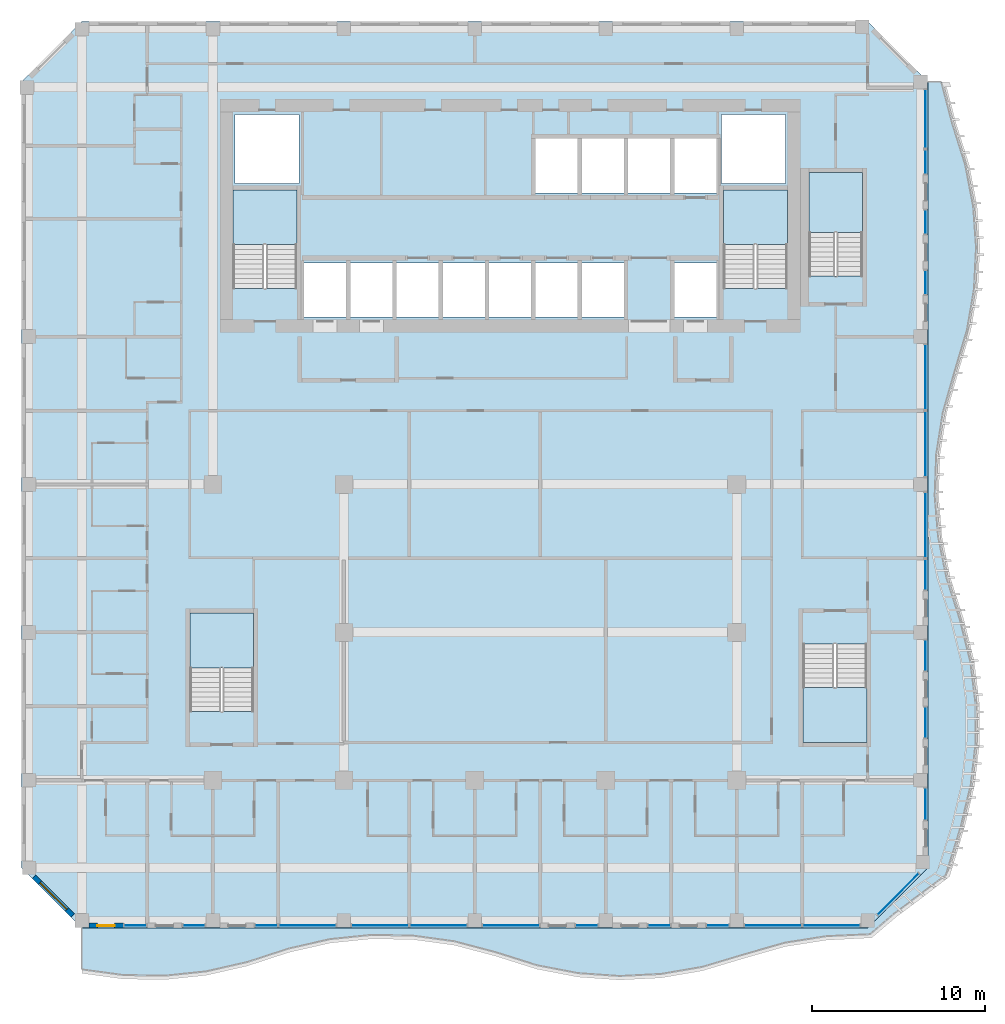
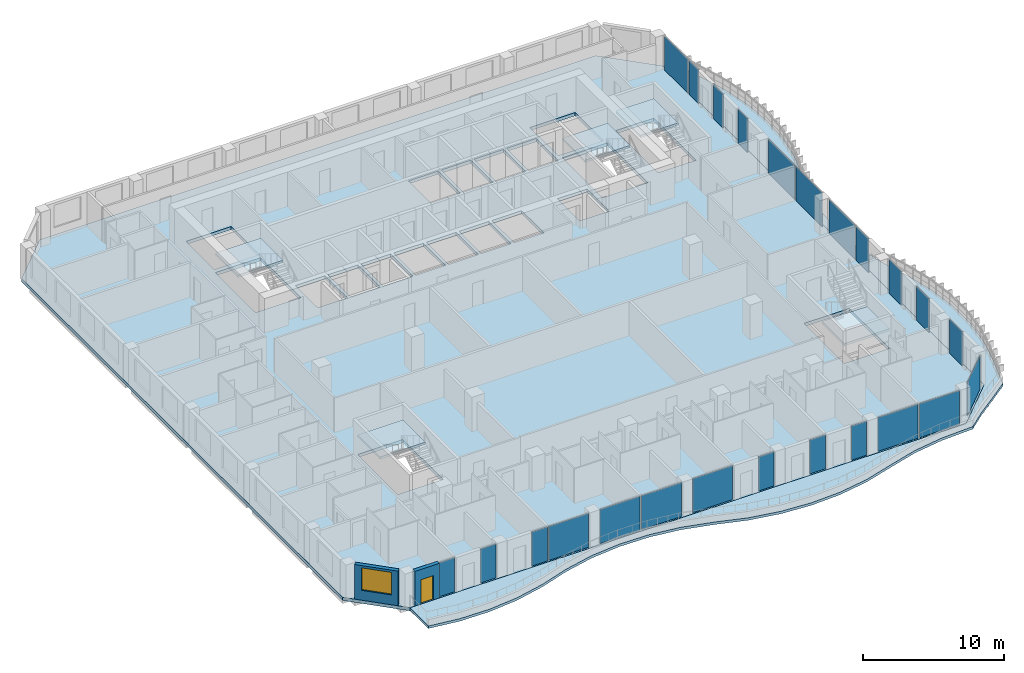
# One storey, part 9 of 24: 24 plates, 7 slabs, 2 walls, 1 door, 1 window, 2 openings, 29 elements without a shape of their own.
"""IFC4 building model written with IfcOpenShell, lengths in metres."""

from ifc_helpers import new_model, si_unit, direction, frame, frame_2d, origin, origin_2d, place, context, subcontext, project, spatial, polyline, rectangle, outline, extrude, source, transform, mapped, material, layer, layer_set, type_object, element, fill, aggregate, save


model = new_model("IFC4")

# Units and contexts
model_context = context("Model", 3, precision=1e-05, world=origin(), true_north=direction((0.0, 1.0)))
body_context = subcontext(model_context, "Body", "Model", "MODEL_VIEW")
ifc_project = project(units=[si_unit("LENGTHUNIT", "METRE"), si_unit("AREAUNIT", "SQUARE_METRE"), si_unit("VOLUMEUNIT", "CUBIC_METRE"), si_unit("PLANEANGLEUNIT", "RADIAN"), si_unit("MASSUNIT", "GRAM", prefix="KILO")], contexts=[model_context])

# Site, building, storey
site_placement = place(None, origin())
site = spatial("IfcSite", under=ifc_project, at=site_placement, CompositionType="ELEMENT")
building_placement = place(site_placement, origin())
building = spatial("IfcBuilding", under=site, at=building_placement, Name="Kilnfold Tower and Market Hall", CompositionType="ELEMENT")
storey_placement = place(building_placement, frame((0.0, 0.0, 192.300048828125)))
storey = spatial("IfcBuildingStorey", under=building, at=storey_placement, Name="L46", CompositionType="ELEMENT", Elevation=192.300048828125)

# Slab
ifc_material_1 = material(Name="Concrete C45", Category="concrete")
ifc_layer_1 = layer(ifc_material_1, 0.280029296875)
ifc_layer_set_1 = layer_set([ifc_layer_1], Name="Concrete C45")
slab_type_1 = type_object("IfcSlabType", Name="FLOOR SLAB 280", PredefinedType="FLOOR", material=ifc_layer_set_1)
shared_shape_1 = source(origin(), body_context, "Body", "SweptSolid", [
    extrude(outline(polyline([(-23.75, -26.25), (21.75, -26.25), (25.25, -22.75), (25.25, 22.75), (21.75, 26.25), (-23.75, 26.25), (-27.25, 22.75), (-27.25, -22.75), (-23.75, -26.25)]), holes=[polyline([(-13.800537109375, -13.699462890625), (-17.49951171875, -13.699462890625), (-17.49951171875, -8.00048828125), (-13.800537109375, -8.00048828125), (-13.800537109375, -13.699462890625)]), polyline([(-14.99951171875, 10.800537109375), (-14.99951171875, 16.49951171875), (-11.300537109375, 16.49951171875), (-11.300537109375, 10.800537109375), (-14.99951171875, 10.800537109375)]), polyline([(-11.175048828125, 16.875), (-14.875, 16.875), (-14.875, 20.875), (-11.175048828125, 20.875), (-11.175048828125, 16.875)]), polyline([(-8.455078125, 9.125), (-10.885009765625, 9.125), (-10.885009765625, 12.27490234375), (-8.455078125, 12.27490234375), (-8.455078125, 9.125)]), polyline([(-5.77490234375, 9.125), (-8.205078125, 9.125), (-8.205078125, 12.27490234375), (-5.77490234375, 12.27490234375), (-5.77490234375, 9.125)]), polyline([(-3.094970703125, 9.125), (-5.52490234375, 9.125), (-5.52490234375, 12.27490234375), (-3.094970703125, 12.27490234375), (-3.094970703125, 9.125)]), polyline([(-0.4150390625, 9.125), (-2.844970703125, 9.125), (-2.844970703125, 12.27490234375), (-0.4150390625, 12.27490234375), (-0.4150390625, 9.125)]), polyline([(2.264892578125, 9.125), (-0.1650390625, 9.125), (-0.1650390625, 12.27490234375), (2.264892578125, 12.27490234375), (2.264892578125, 9.125)]), polyline([(4.945068359375, 9.125), (2.514892578125, 9.125), (2.514892578125, 12.27490234375), (4.945068359375, 12.27490234375), (4.945068359375, 9.125)]), polyline([(2.514892578125, 16.324951171875), (2.514892578125, 19.47509765625), (4.945068359375, 19.47509765625), (4.945068359375, 16.324951171875), (2.514892578125, 16.324951171875)]), polyline([(7.625, 9.125), (5.195068359375, 9.125), (5.195068359375, 12.27490234375), (7.625, 12.27490234375), (7.625, 9.125)]), polyline([(7.625, 16.324951171875), (5.195068359375, 16.324951171875), (5.195068359375, 19.47509765625), (7.625, 19.47509765625), (7.625, 16.324951171875)]), polyline([(10.304931640625, 16.324951171875), (7.875, 16.324951171875), (7.875, 19.47509765625), (10.304931640625, 19.47509765625), (10.304931640625, 16.324951171875)]), polyline([(10.554931640625, 9.125), (10.554931640625, 12.27490234375), (12.985107421875, 12.27490234375), (12.985107421875, 9.125), (10.554931640625, 9.125)]), polyline([(10.554931640625, 16.324951171875), (10.554931640625, 19.47509765625), (12.985107421875, 19.47509765625), (12.985107421875, 16.324951171875), (10.554931640625, 16.324951171875)]), polyline([(13.27490234375, 16.875), (13.27490234375, 20.875), (16.97509765625, 20.875), (16.97509765625, 16.875), (13.27490234375, 16.875)]), polyline([(13.400390625, 10.800537109375), (13.400390625, 16.49951171875), (17.099609375, 16.49951171875), (17.099609375, 10.800537109375), (13.400390625, 10.800537109375)]), polyline([(18.00048828125, -9.800537109375), (21.699462890625, -9.800537109375), (21.699462890625, -15.49951171875), (18.00048828125, -15.49951171875), (18.00048828125, -9.800537109375)]), polyline([(21.449462890625, 11.50048828125), (18.3505859375, 11.50048828125), (18.3505859375, 17.49951171875), (21.449462890625, 17.49951171875), (21.449462890625, 11.50048828125)])]), origin(), (0.0, 0.0, 1.0), 0.280029296875),
])
slab_1_placement = place(storey_placement, frame((0.0, 0.0, -0.280029296875)))
element("IfcSlab", 1, at=slab_1_placement, inside=storey, type_object=slab_type_1, Name="Floor slab L46", PredefinedType="FLOOR", context=body_context, shape_type="MappedRepresentation", body=[
    mapped(shared_shape_1, transform((0.0, 0.0, 0.0))),
])

# Curtain wall, plate
ifc_material_2 = material(Name="Aluminium and double glazing", Category="aluminium")
curtain_wall_type = type_object("IfcCurtainWallType", Name="CW GARDEN HOTEL WINTER GARDEN", PredefinedType="NOTDEFINED", material=ifc_material_2)
curtain_wall_1_placement = place(storey_placement, origin())
curtain_wall_1 = element("IfcCurtainWall", 2, at=curtain_wall_1_placement, inside=storey, type_object=curtain_wall_type, Name="Curtain wall CW5 L46 S", PredefinedType="NOTDEFINED")
ifc_material_3 = material(Name="Double glazed unit")
ifc_layer_2 = layer(ifc_material_3, 0.033935546875)
ifc_layer_set_2 = layer_set([ifc_layer_2], Name="Double glazed unit")
plate_type = type_object("IfcPlateType", Name="GLAZING PANEL 34", PredefinedType="CURTAIN_PANEL", material=ifc_layer_set_2)
shared_shape_2 = source(origin(), body_context, "Body", "SweptSolid", [
    extrude(rectangle(XDim=3.26171875, YDim=0.033935546875, at=origin_2d()), origin(), (0.0, 0.0, 1.0), 2.93505859375),
])
plate_1_placement = place(storey_placement, frame((-10.67919921875, -26.10009765625, 0.0), z_axis=(0.0, 0.0, 1.0), x_axis=(1.0, 0.0, 0.0)))
plate_1 = element("IfcPlate", 3, at=plate_1_placement, type_object=plate_type, Name="CW5 panel 1.1", PredefinedType="CURTAIN_PANEL", context=body_context, shape_type="MappedRepresentation", body=[
    mapped(shared_shape_2, transform((0.0, 0.0, 0.0))),
])
aggregate(curtain_wall_1, [plate_1])

curtain_wall_2_placement = place(storey_placement, origin())
curtain_wall_2 = element("IfcCurtainWall", 4, at=curtain_wall_2_placement, inside=storey, type_object=curtain_wall_type, Name="Curtain wall CW5 L46 S", PredefinedType="NOTDEFINED")
plate_2_placement = place(storey_placement, frame((-6.487548828125, -26.10009765625, 0.0), z_axis=(0.0, 0.0, 1.0), x_axis=(1.0, 0.0, 0.0)))
plate_2 = element("IfcPlate", 5, at=plate_2_placement, type_object=plate_type, Name="CW5 panel 1.1", PredefinedType="CURTAIN_PANEL", context=body_context, shape_type="MappedRepresentation", body=[
    mapped(shared_shape_2, transform((0.0, 0.0, 0.0))),
])
aggregate(curtain_wall_2, [plate_2])

curtain_wall_3_placement = place(storey_placement, origin())
curtain_wall_3 = element("IfcCurtainWall", 6, at=curtain_wall_3_placement, inside=storey, type_object=curtain_wall_type, Name="Curtain wall CW5 L46 S", PredefinedType="NOTDEFINED")
plate_3_placement = place(storey_placement, frame((-3.095703125, -26.10009765625, 0.0), z_axis=(0.0, 0.0, 1.0), x_axis=(1.0, 0.0, 0.0)))
plate_3 = element("IfcPlate", 7, at=plate_3_placement, type_object=plate_type, Name="CW5 panel 1.1", PredefinedType="CURTAIN_PANEL", context=body_context, shape_type="MappedRepresentation", body=[
    mapped(shared_shape_2, transform((0.0, 0.0, 0.0))),
])
aggregate(curtain_wall_3, [plate_3])

curtain_wall_4_placement = place(storey_placement, origin())
curtain_wall_4 = element("IfcCurtainWall", 8, at=curtain_wall_4_placement, inside=storey, type_object=curtain_wall_type, Name="Curtain wall CW5 L46 S", PredefinedType="NOTDEFINED")
plate_4_placement = place(storey_placement, frame((1.095703125, -26.10009765625, 0.0), z_axis=(0.0, 0.0, 1.0), x_axis=(1.0, 0.0, 0.0)))
plate_4 = element("IfcPlate", 9, at=plate_4_placement, type_object=plate_type, Name="CW5 panel 1.1", PredefinedType="CURTAIN_PANEL", context=body_context, shape_type="MappedRepresentation", body=[
    mapped(shared_shape_2, transform((0.0, 0.0, 0.0))),
])
aggregate(curtain_wall_4, [plate_4])

curtain_wall_5_placement = place(storey_placement, origin())
curtain_wall_5 = element("IfcCurtainWall", 10, at=curtain_wall_5_placement, inside=storey, type_object=curtain_wall_type, Name="Curtain wall CW5 L46 S", PredefinedType="NOTDEFINED")
plate_5_placement = place(storey_placement, frame((16.262451171875, -26.10009765625, 0.0), z_axis=(0.0, 0.0, 1.0), x_axis=(1.0, 0.0, 0.0)))
plate_5 = element("IfcPlate", 11, at=plate_5_placement, type_object=plate_type, Name="CW5 panel 1.1", PredefinedType="CURTAIN_PANEL", context=body_context, shape_type="MappedRepresentation", body=[
    mapped(shared_shape_2, transform((0.0, 0.0, 0.0))),
])
aggregate(curtain_wall_5, [plate_5])

curtain_wall_6_placement = place(storey_placement, origin())
curtain_wall_6 = element("IfcCurtainWall", 12, at=curtain_wall_6_placement, inside=storey, type_object=curtain_wall_type, Name="Curtain wall CW5 L46 S", PredefinedType="NOTDEFINED")
plate_6_placement = place(storey_placement, frame((19.654052734375, -26.10009765625, 0.0), z_axis=(0.0, 0.0, 1.0), x_axis=(1.0, 0.0, 0.0)))
plate_6 = element("IfcPlate", 13, at=plate_6_placement, type_object=plate_type, Name="CW5 panel 1.1", PredefinedType="CURTAIN_PANEL", context=body_context, shape_type="MappedRepresentation", body=[
    mapped(shared_shape_2, transform((0.0, 0.0, 0.0))),
])
aggregate(curtain_wall_6, [plate_6])

curtain_wall_7_placement = place(storey_placement, origin())
curtain_wall_7 = element("IfcCurtainWall", 14, at=curtain_wall_7_placement, inside=storey, type_object=curtain_wall_type, Name="Curtain wall CW5 L46 S", PredefinedType="NOTDEFINED")
shared_shape_3 = source(origin(), body_context, "Body", "SweptSolid", [
    extrude(rectangle(XDim=1.26171875, YDim=0.033935546875, at=origin_2d()), origin(), (0.0, 0.0, 1.0), 2.93505859375),
])
plate_7_placement = place(storey_placement, frame((-20.654296875, -26.10009765625, 0.0), z_axis=(0.0, 0.0, 1.0), x_axis=(1.0, 0.0, 0.0)))
plate_7 = element("IfcPlate", 15, at=plate_7_placement, type_object=plate_type, Name="CW5 panel 1.1", PredefinedType="CURTAIN_PANEL", context=body_context, shape_type="MappedRepresentation", body=[
    mapped(shared_shape_3, transform((0.0, 0.0, 0.0))),
])
aggregate(curtain_wall_7, [plate_7])

curtain_wall_8_placement = place(storey_placement, origin())
curtain_wall_8 = element("IfcCurtainWall", 16, at=curtain_wall_8_placement, inside=storey, type_object=curtain_wall_type, Name="Curtain wall CW5 L46 S", PredefinedType="NOTDEFINED")
plate_8_placement = place(storey_placement, frame((-17.262451171875, -26.10009765625, 0.0), z_axis=(0.0, 0.0, 1.0), x_axis=(1.0, 0.0, 0.0)))
plate_8 = element("IfcPlate", 17, at=plate_8_placement, type_object=plate_type, Name="CW5 panel 1.1", PredefinedType="CURTAIN_PANEL", context=body_context, shape_type="MappedRepresentation", body=[
    mapped(shared_shape_3, transform((0.0, 0.0, 0.0))),
])
aggregate(curtain_wall_8, [plate_8])

curtain_wall_9_placement = place(storey_placement, origin())
curtain_wall_9 = element("IfcCurtainWall", 18, at=curtain_wall_9_placement, inside=storey, type_object=curtain_wall_type, Name="Curtain wall CW5 L46 S", PredefinedType="NOTDEFINED")
plate_9_placement = place(storey_placement, frame((-13.07080078125, -26.10009765625, 0.0), z_axis=(0.0, 0.0, 1.0), x_axis=(1.0, 0.0, 0.0)))
plate_9 = element("IfcPlate", 19, at=plate_9_placement, type_object=plate_type, Name="CW5 panel 1.1", PredefinedType="CURTAIN_PANEL", context=body_context, shape_type="MappedRepresentation", body=[
    mapped(shared_shape_3, transform((0.0, 0.0, 0.0))),
])
aggregate(curtain_wall_9, [plate_9])

curtain_wall_10_placement = place(storey_placement, origin())
curtain_wall_10 = element("IfcCurtainWall", 20, at=curtain_wall_10_placement, inside=storey, type_object=curtain_wall_type, Name="Curtain wall CW5 L46 S", PredefinedType="NOTDEFINED")
plate_10_placement = place(storey_placement, frame((5.487548828125, -26.10009765625, 0.0), z_axis=(0.0, 0.0, 1.0), x_axis=(1.0, 0.0, 0.0)))
plate_10 = element("IfcPlate", 21, at=plate_10_placement, type_object=plate_type, Name="CW5 panel 1.1", PredefinedType="CURTAIN_PANEL", context=body_context, shape_type="MappedRepresentation", body=[
    mapped(shared_shape_3, transform((0.0, 0.0, 0.0))),
])
aggregate(curtain_wall_10, [plate_10])

curtain_wall_11_placement = place(storey_placement, origin())
curtain_wall_11 = element("IfcCurtainWall", 22, at=curtain_wall_11_placement, inside=storey, type_object=curtain_wall_type, Name="Curtain wall CW5 L46 S", PredefinedType="NOTDEFINED")
plate_11_placement = place(storey_placement, frame((9.67919921875, -26.10009765625, 0.0), z_axis=(0.0, 0.0, 1.0), x_axis=(1.0, 0.0, 0.0)))
plate_11 = element("IfcPlate", 23, at=plate_11_placement, type_object=plate_type, Name="CW5 panel 1.1", PredefinedType="CURTAIN_PANEL", context=body_context, shape_type="MappedRepresentation", body=[
    mapped(shared_shape_3, transform((0.0, 0.0, 0.0))),
])
aggregate(curtain_wall_11, [plate_11])

curtain_wall_12_placement = place(storey_placement, origin())
curtain_wall_12 = element("IfcCurtainWall", 24, at=curtain_wall_12_placement, inside=storey, type_object=curtain_wall_type, Name="Curtain wall CW5 L46 S", PredefinedType="NOTDEFINED")
plate_12_placement = place(storey_placement, frame((13.07080078125, -26.10009765625, 0.0), z_axis=(0.0, 0.0, 1.0), x_axis=(1.0, 0.0, 0.0)))
plate_12 = element("IfcPlate", 25, at=plate_12_placement, type_object=plate_type, Name="CW5 panel 1.1", PredefinedType="CURTAIN_PANEL", context=body_context, shape_type="MappedRepresentation", body=[
    mapped(shared_shape_3, transform((0.0, 0.0, 0.0))),
])
aggregate(curtain_wall_12, [plate_12])

curtain_wall_13_placement = place(storey_placement, origin())
curtain_wall_13 = element("IfcCurtainWall", 26, at=curtain_wall_13_placement, inside=storey, type_object=curtain_wall_type, Name="Curtain wall CW5 L46 SE", PredefinedType="NOTDEFINED")
shared_shape_4 = source(origin(), body_context, "Body", "SweptSolid", [
    extrude(rectangle(XDim=3.370361328125, YDim=0.033935546875, at=origin_2d()), origin(), (0.0, 0.0, 1.0), 2.93505859375),
])
plate_13_placement = place(storey_placement, frame((23.50634765625, -24.281494140625, 0.0), z_axis=(0.0, 0.0, 1.0), x_axis=(0.707121065738, 0.707092496347, 0.0)))
plate_13 = element("IfcPlate", 27, at=plate_13_placement, type_object=plate_type, Name="CW5 panel 1.1", PredefinedType="CURTAIN_PANEL", context=body_context, shape_type="MappedRepresentation", body=[
    mapped(shared_shape_4, transform((0.0, 0.0, 0.0))),
])
aggregate(curtain_wall_13, [plate_13])

curtain_wall_14_placement = place(storey_placement, origin())
curtain_wall_14 = element("IfcCurtainWall", 28, at=curtain_wall_14_placement, inside=storey, type_object=curtain_wall_type, Name="Curtain wall CW5 L46 E", PredefinedType="NOTDEFINED")
shared_shape_5 = source(origin(), body_context, "Body", "SweptSolid", [
    extrude(rectangle(XDim=1.814208984375, YDim=0.033935546875, at=origin_2d()), origin(), (0.0, 0.0, 1.0), 2.93505859375),
])
plate_14_placement = place(storey_placement, frame((25.10009765625, -19.0595703125, 0.0), z_axis=(0.0, 0.0, 1.0), x_axis=(0.0, 1.0, 0.0)))
plate_14 = element("IfcPlate", 29, at=plate_14_placement, type_object=plate_type, Name="CW5 panel 1.1", PredefinedType="CURTAIN_PANEL", context=body_context, shape_type="MappedRepresentation", body=[
    mapped(shared_shape_5, transform((0.0, 0.0, 0.0))),
])
aggregate(curtain_wall_14, [plate_14])

curtain_wall_15_placement = place(storey_placement, origin())
curtain_wall_15 = element("IfcCurtainWall", 30, at=curtain_wall_15_placement, inside=storey, type_object=curtain_wall_type, Name="Curtain wall CW5 L46 E", PredefinedType="NOTDEFINED")
shared_shape_6 = source(origin(), body_context, "Body", "SweptSolid", [
    extrude(rectangle(XDim=1.751220703125, YDim=0.033935546875, at=origin_2d()), origin(), (0.0, 0.0, 1.0), 2.93505859375),
])
plate_15_placement = place(storey_placement, frame((25.10009765625, -14.346923828125, 0.0), z_axis=(0.0, 0.0, 1.0), x_axis=(0.0, 1.0, 0.0)))
plate_15 = element("IfcPlate", 31, at=plate_15_placement, type_object=plate_type, Name="CW5 panel 1.1", PredefinedType="CURTAIN_PANEL", context=body_context, shape_type="MappedRepresentation", body=[
    mapped(shared_shape_6, transform((0.0, 0.0, 0.0))),
])
aggregate(curtain_wall_15, [plate_15])

curtain_wall_16_placement = place(storey_placement, origin())
curtain_wall_16 = element("IfcCurtainWall", 32, at=curtain_wall_16_placement, inside=storey, type_object=curtain_wall_type, Name="Curtain wall CW5 L46 E", PredefinedType="NOTDEFINED")
plate_16_placement = place(storey_placement, frame((25.10009765625, -10.465576171875, 0.0), z_axis=(0.0, 0.0, 1.0), x_axis=(0.0, 1.0, 0.0)))
plate_16 = element("IfcPlate", 33, at=plate_16_placement, type_object=plate_type, Name="CW5 panel 1.1", PredefinedType="CURTAIN_PANEL", context=body_context, shape_type="MappedRepresentation", body=[
    mapped(shared_shape_6, transform((0.0, 0.0, 0.0))),
])
aggregate(curtain_wall_16, [plate_16])

curtain_wall_17_placement = place(storey_placement, origin())
curtain_wall_17 = element("IfcCurtainWall", 34, at=curtain_wall_17_placement, inside=storey, type_object=curtain_wall_type, Name="Curtain wall CW5 L46 E", PredefinedType="NOTDEFINED")
plate_17_placement = place(storey_placement, frame((25.10009765625, -5.784423828125, 0.0), z_axis=(0.0, 0.0, 1.0), x_axis=(0.0, 1.0, 0.0)))
plate_17 = element("IfcPlate", 35, at=plate_17_placement, type_object=plate_type, Name="CW5 panel 1.1", PredefinedType="CURTAIN_PANEL", context=body_context, shape_type="MappedRepresentation", body=[
    mapped(shared_shape_6, transform((0.0, 0.0, 0.0))),
])
aggregate(curtain_wall_17, [plate_17])

curtain_wall_18_placement = place(storey_placement, origin())
curtain_wall_18 = element("IfcCurtainWall", 36, at=curtain_wall_18_placement, inside=storey, type_object=curtain_wall_type, Name="Curtain wall CW5 L46 E", PredefinedType="NOTDEFINED")
shared_shape_7 = source(origin(), body_context, "Body", "SweptSolid", [
    extrude(rectangle(XDim=3.751220703125, YDim=0.033935546875, at=origin_2d()), origin(), (0.0, 0.0, 1.0), 2.93505859375),
])
plate_18_placement = place(storey_placement, frame((25.10009765625, -2.903076171875, 0.0), z_axis=(0.0, 0.0, 1.0), x_axis=(0.0, 1.0, 0.0)))
plate_18 = element("IfcPlate", 37, at=plate_18_placement, type_object=plate_type, Name="CW5 panel 1.1", PredefinedType="CURTAIN_PANEL", context=body_context, shape_type="MappedRepresentation", body=[
    mapped(shared_shape_7, transform((0.0, 0.0, 0.0))),
])
aggregate(curtain_wall_18, [plate_18])

curtain_wall_19_placement = place(storey_placement, origin())
curtain_wall_19 = element("IfcCurtainWall", 38, at=curtain_wall_19_placement, inside=storey, type_object=curtain_wall_type, Name="Curtain wall CW5 L46 E", PredefinedType="NOTDEFINED")
plate_19_placement = place(storey_placement, frame((25.10009765625, 1.778076171875, 0.0), z_axis=(0.0, 0.0, 1.0), x_axis=(0.0, 1.0, 0.0)))
plate_19 = element("IfcPlate", 39, at=plate_19_placement, type_object=plate_type, Name="CW5 panel 1.1", PredefinedType="CURTAIN_PANEL", context=body_context, shape_type="MappedRepresentation", body=[
    mapped(shared_shape_7, transform((0.0, 0.0, 0.0))),
])
aggregate(curtain_wall_19, [plate_19])

curtain_wall_20_placement = place(storey_placement, origin())
curtain_wall_20 = element("IfcCurtainWall", 40, at=curtain_wall_20_placement, inside=storey, type_object=curtain_wall_type, Name="Curtain wall CW5 L46 E", PredefinedType="NOTDEFINED")
plate_20_placement = place(storey_placement, frame((25.10009765625, 5.659423828125, 0.0), z_axis=(0.0, 0.0, 1.0), x_axis=(0.0, 1.0, 0.0)))
plate_20 = element("IfcPlate", 41, at=plate_20_placement, type_object=plate_type, Name="CW5 panel 1.1", PredefinedType="CURTAIN_PANEL", context=body_context, shape_type="MappedRepresentation", body=[
    mapped(shared_shape_7, transform((0.0, 0.0, 0.0))),
])
aggregate(curtain_wall_20, [plate_20])

curtain_wall_21_placement = place(storey_placement, origin())
curtain_wall_21 = element("IfcCurtainWall", 42, at=curtain_wall_21_placement, inside=storey, type_object=curtain_wall_type, Name="Curtain wall CW5 L46 E", PredefinedType="NOTDEFINED")
shared_shape_8 = source(origin(), body_context, "Body", "SweptSolid", [
    extrude(rectangle(XDim=1.357421875, YDim=0.033935546875, at=origin_2d()), origin(), (0.0, 0.0, 1.0), 2.93505859375),
])
plate_21_placement = place(storey_placement, frame((25.10009765625, 11.143798828125, 0.0), z_axis=(0.0, 0.0, 1.0), x_axis=(0.0, 1.0, 0.0)))
plate_21 = element("IfcPlate", 43, at=plate_21_placement, type_object=plate_type, Name="CW5 panel 1.1", PredefinedType="CURTAIN_PANEL", context=body_context, shape_type="MappedRepresentation", body=[
    mapped(shared_shape_8, transform((0.0, 0.0, 0.0))),
])
aggregate(curtain_wall_21, [plate_21])

curtain_wall_22_placement = place(storey_placement, origin())
curtain_wall_22 = element("IfcCurtainWall", 44, at=curtain_wall_22_placement, inside=storey, type_object=curtain_wall_type, Name="Curtain wall CW5 L46 E", PredefinedType="NOTDEFINED")
plate_22_placement = place(storey_placement, frame((25.10009765625, 14.63134765625, 0.0), z_axis=(0.0, 0.0, 1.0), x_axis=(0.0, 1.0, 0.0)))
plate_22 = element("IfcPlate", 45, at=plate_22_placement, type_object=plate_type, Name="CW5 panel 1.1", PredefinedType="CURTAIN_PANEL", context=body_context, shape_type="MappedRepresentation", body=[
    mapped(shared_shape_8, transform((0.0, 0.0, 0.0))),
])
aggregate(curtain_wall_22, [plate_22])

curtain_wall_23_placement = place(storey_placement, origin())
curtain_wall_23 = element("IfcCurtainWall", 46, at=curtain_wall_23_placement, inside=storey, type_object=curtain_wall_type, Name="Curtain wall CW5 L46 E", PredefinedType="NOTDEFINED")
plate_23_placement = place(storey_placement, frame((25.10009765625, 18.11865234375, 0.0), z_axis=(0.0, 0.0, 1.0), x_axis=(0.0, 1.0, 0.0)))
plate_23 = element("IfcPlate", 47, at=plate_23_placement, type_object=plate_type, Name="CW5 panel 1.1", PredefinedType="CURTAIN_PANEL", context=body_context, shape_type="MappedRepresentation", body=[
    mapped(shared_shape_8, transform((0.0, 0.0, 0.0))),
])
aggregate(curtain_wall_23, [plate_23])

curtain_wall_24_placement = place(storey_placement, origin())
curtain_wall_24 = element("IfcCurtainWall", 48, at=curtain_wall_24_placement, inside=storey, type_object=curtain_wall_type, Name="Curtain wall CW5 L46 E", PredefinedType="NOTDEFINED")
shared_shape_9 = source(origin(), body_context, "Body", "SweptSolid", [
    extrude(rectangle(XDim=3.357421875, YDim=0.033935546875, at=origin_2d()), origin(), (0.0, 0.0, 1.0), 2.93505859375),
])
plate_24_placement = place(storey_placement, frame((25.10009765625, 20.606201171875, 0.0), z_axis=(0.0, 0.0, 1.0), x_axis=(0.0, 1.0, 0.0)))
plate_24 = element("IfcPlate", 49, at=plate_24_placement, type_object=plate_type, Name="CW5 panel 1.1", PredefinedType="CURTAIN_PANEL", context=body_context, shape_type="MappedRepresentation", body=[
    mapped(shared_shape_9, transform((0.0, 0.0, 0.0))),
])
aggregate(curtain_wall_24, [plate_24])

# Slab
ifc_material_4 = material(Name="Concrete C40/50", Category="concrete")
ifc_layer_3 = layer(ifc_material_4, 0.219970703125)
ifc_layer_set_3 = layer_set([ifc_layer_3], Name="Concrete C40/50")
slab_type_2 = type_object("IfcSlabType", Name="BALCONY SLAB 220", PredefinedType="FLOOR", material=ifc_layer_set_3)
shared_shape_10 = source(origin(), body_context, "Body", "SweptSolid", [
    extrude(outline(polyline([(-23.75, -26.25), (21.75, -26.25), (25.25, -22.75), (25.25, 22.75), (26.23388671875, 22.75), (26.86279296875, 20.355224609375), (27.6201171875, 17.96044921875), (28.080810546875, 15.56591796875), (28.248779296875, 13.171142578125), (28.131591796875, 10.7763671875), (27.7236328125, 8.381591796875), (27.007568359375, 5.98681640625), (26.322509765625, 3.592041015625), (25.944091796875, 1.197509765625), (25.85498046875, -1.197509765625), (26.051513671875, -3.592041015625), (26.542236328125, -5.98681640625), (27.31396484375, -8.381591796875), (27.91162109375, -10.7763671875), (28.208984375, -13.171142578125), (28.219482421875, -15.56591796875), (27.943115234375, -17.96044921875), (27.367919921875, -20.355224609375), (26.487548828125, -23.2626953125), (24.7578125, -24.59130859375), (23.41943359375, -25.5859375), (21.981689453125, -26.80908203125), (19.355224609375, -26.94287109375), (16.96044921875, -27.319580078125), (14.56591796875, -28.0029296875), (12.171142578125, -28.720703125), (9.7763671875, -29.130126953125), (7.381591796875, -29.2490234375), (4.98681640625, -29.08251953125), (2.592041015625, -28.623291015625), (0.197509765625, -27.866943359375), (-2.197509765625, -27.236328125), (-4.592041015625, -26.908447265625), (-6.98681640625, -26.868408203125), (-9.381591796875, -27.114501953125), (-11.7763671875, -27.657470703125), (-14.171142578125, -28.43896484375), (-16.56591796875, -28.9833984375), (-18.96044921875, -29.231201171875), (-21.355224609375, -29.1923828125), (-23.75, -28.8662109375), (-23.75, -26.25)])), origin(), (0.0, 0.0, 1.0), 0.219970703125),
])
slab_2_placement = place(storey_placement, frame((0.0, 0.0, -0.219970703125)))
element("IfcSlab", 50, at=slab_2_placement, inside=storey, type_object=slab_type_2, Name="Balcony slab L46", PredefinedType="FLOOR", context=body_context, shape_type="MappedRepresentation", body=[
    mapped(shared_shape_10, transform((0.0, 0.0, 0.0))),
])

# Stair, slab
ifc_material_5 = material(Name="Concrete C40/50", Category="concrete")
stair_type_1 = type_object("IfcStairType", Name="CORE STAIR 1800", PredefinedType="HALF_TURN_STAIR", material=ifc_material_5)
stair_1_placement = place(storey_placement, origin())
stair_1 = element("IfcStair", 51, at=stair_1_placement, inside=storey, type_object=stair_type_1, Name="L46 ST1", PredefinedType="HALF_TURN_STAIR")
ifc_material_6 = material(Name="Concrete C40/50", Category="concrete")
ifc_layer_4 = layer(ifc_material_6, 0.199951171875)
ifc_layer_set_4 = layer_set([ifc_layer_4], Name="Concrete C40/50")
slab_type_3 = type_object("IfcSlabType", Name="CORE STAIR LANDING 200", PredefinedType="LANDING", material=ifc_layer_set_4)
shared_shape_11 = source(origin(), body_context, "Body", "SweptSolid", [
    extrude(outline(polyline([(-11.300048828125, 13.320068359375), (-11.300048828125, 16.5), (-15.0, 16.5), (-15.0, 13.320068359375), (-11.300048828125, 13.320068359375)])), origin(), (0.0, 0.0, 1.0), 0.199951171875),
])
slab_3_placement = place(storey_placement, frame((0.0, 0.0, 1.5)))
slab_3 = element("IfcSlab", 52, at=slab_3_placement, type_object=slab_type_3, Name="ST1 landing 1", PredefinedType="LANDING", context=body_context, shape_type="MappedRepresentation", body=[
    mapped(shared_shape_11, transform((0.0, 0.0, 0.0))),
])
aggregate(stair_1, [slab_3])

stair_2_placement = place(storey_placement, origin())
stair_2 = element("IfcStair", 53, at=stair_2_placement, inside=storey, type_object=stair_type_1, Name="L46 ST2", PredefinedType="HALF_TURN_STAIR")
shared_shape_12 = source(origin(), body_context, "Body", "SweptSolid", [
    extrude(outline(polyline([(17.10009765625, 13.320068359375), (17.10009765625, 16.5), (13.39990234375, 16.5), (13.39990234375, 13.320068359375), (17.10009765625, 13.320068359375)])), origin(), (0.0, 0.0, 1.0), 0.199951171875),
])
slab_4_placement = place(storey_placement, frame((0.0, 0.0, 1.5)))
slab_4 = element("IfcSlab", 54, at=slab_4_placement, type_object=slab_type_3, Name="ST2 landing 1", PredefinedType="LANDING", context=body_context, shape_type="MappedRepresentation", body=[
    mapped(shared_shape_12, transform((0.0, 0.0, 0.0))),
])
aggregate(stair_2, [slab_4])

stair_3_placement = place(storey_placement, origin())
stair_3 = element("IfcStair", 55, at=stair_3_placement, inside=storey, type_object=stair_type_1, Name="L46 ST3", PredefinedType="HALF_TURN_STAIR")
shared_shape_13 = source(origin(), body_context, "Body", "SweptSolid", [
    extrude(outline(polyline([(-13.800048828125, -11.179931640625), (-13.800048828125, -8.0), (-17.5, -8.0), (-17.5, -11.179931640625), (-13.800048828125, -11.179931640625)])), origin(), (0.0, 0.0, 1.0), 0.199951171875),
])
slab_5_placement = place(storey_placement, frame((0.0, 0.0, 1.5)))
slab_5 = element("IfcSlab", 56, at=slab_5_placement, type_object=slab_type_3, Name="ST3 landing 1", PredefinedType="LANDING", context=body_context, shape_type="MappedRepresentation", body=[
    mapped(shared_shape_13, transform((0.0, 0.0, 0.0))),
])
aggregate(stair_3, [slab_5])

stair_4_placement = place(storey_placement, origin())
stair_4 = element("IfcStair", 57, at=stair_4_placement, inside=storey, type_object=stair_type_1, Name="L46 ST4", PredefinedType="HALF_TURN_STAIR")
shared_shape_14 = source(origin(), body_context, "Body", "SweptSolid", [
    extrude(outline(polyline([(18.0, -12.320068359375), (18.0, -15.5), (21.699951171875, -15.5), (21.699951171875, -12.320068359375), (18.0, -12.320068359375)])), origin(), (0.0, 0.0, 1.0), 0.199951171875),
])
slab_6_placement = place(storey_placement, frame((0.0, 0.0, 1.5)))
slab_6 = element("IfcSlab", 58, at=slab_6_placement, type_object=slab_type_3, Name="ST4 landing 1", PredefinedType="LANDING", context=body_context, shape_type="MappedRepresentation", body=[
    mapped(shared_shape_14, transform((0.0, 0.0, 0.0))),
])
aggregate(stair_4, [slab_6])

ifc_material_7 = material(Name="Concrete C40/50", Category="concrete")
stair_type_2 = type_object("IfcStairType", Name="CORE STAIR 1500", PredefinedType="HALF_TURN_STAIR", material=ifc_material_7)
stair_5_placement = place(storey_placement, origin())
stair_5 = element("IfcStair", 59, at=stair_5_placement, inside=storey, type_object=stair_type_2, Name="L46 ST5", PredefinedType="HALF_TURN_STAIR")
shared_shape_15 = source(origin(), body_context, "Body", "SweptSolid", [
    extrude(outline(polyline([(21.449951171875, 14.02001953125), (21.449951171875, 17.5), (18.35009765625, 17.5), (18.35009765625, 14.02001953125), (21.449951171875, 14.02001953125)])), origin(), (0.0, 0.0, 1.0), 0.199951171875),
])
slab_7_placement = place(storey_placement, frame((0.0, 0.0, 1.5)))
slab_7 = element("IfcSlab", 60, at=slab_7_placement, type_object=slab_type_3, Name="ST5 landing 1", PredefinedType="LANDING", context=body_context, shape_type="MappedRepresentation", body=[
    mapped(shared_shape_15, transform((0.0, 0.0, 0.0))),
])
aggregate(stair_5, [slab_7])

# Wall, opening, door
ifc_material_8 = material(Name="Precast concrete C50/60", Category="concrete")
ifc_layer_5 = layer(ifc_material_8, 0.300048828125)
ifc_layer_set_5 = layer_set([ifc_layer_5], Name="Precast concrete C50/60")
wall_type = type_object("IfcWallType", Name="PRECAST WALL 300", PredefinedType="SOLIDWALL", material=ifc_layer_set_5)
shared_shape_16 = source(origin(), body_context, "Body", "SweptSolid", [
    extrude(rectangle(XDim=2.0, YDim=0.300048828125, at=frame_2d((1.0, 0.0))), origin(), (0.0, 0.0, 1.0), 3.0),
])
wall_1_placement = place(storey_placement, frame((-23.35009765625, -26.10009765625, 0.0), z_axis=(0.0, 0.0, 1.0), x_axis=(1.0, 0.0, 0.0)))
wall_1 = element("IfcWall", 61, at=wall_1_placement, inside=storey, type_object=wall_type, Name="External wall L46 S", PredefinedType="SOLIDWALL", context=body_context, shape_type="MappedRepresentation", body=[
    mapped(shared_shape_16, transform((0.0, 0.0, 0.0))),
])
opening_1_placement = place(wall_1_placement, frame((0.5, 0.0, 0.0)))
opening_1 = element("IfcOpeningElement", 62, at=opening_1_placement, cuts=wall_1, Name="Opening BD1", PredefinedType="OPENING", context=body_context, shape_type="SweptSolid", body=[
    extrude(rectangle(XDim=1.0, YDim=2.10009765625, at=frame_2d((0.5, 1.050048828125))), frame((0.0, 0.16015625, 0.0), z_axis=(0.0, -1.0, 0.0), x_axis=(1.0, 0.0, 0.0)), (0.0, 0.0, 1.0), 0.320068359375),
])
ifc_material_9 = material(Name="Aluminium frame and double glazing", Category="aluminium")
door_type = type_object("IfcDoorType", Name="BALCONY DOOR 1000X2100", OperationType="NOTDEFINED", PredefinedType="DOOR", material=ifc_material_9)
door_placement = place(opening_1_placement, origin())
door = element("IfcDoor", 63, at=door_placement, inside=storey, type_object=door_type, Name="Balcony door BD1 L46 S-1", OperationType="SINGLE_SWING_LEFT", OverallHeight=2.10009765625, OverallWidth=1.0, PredefinedType="DOOR", context=body_context, shape_type="SweptSolid", body=[
    extrude(rectangle(XDim=1.0, YDim=2.10009765625, at=frame_2d((0.5, 1.050048828125))), frame((0.0, 0.02490234375, 0.0), z_axis=(0.0, -1.0, 0.0), x_axis=(1.0, 0.0, 0.0)), (0.0, 0.0, 1.0), 0.050048828125),
])
fill(opening_1, door)

# Wall, opening, window
shared_shape_17 = source(origin(), body_context, "Body", "SweptSolid", [
    extrude(rectangle(XDim=3.18212890625, YDim=0.300048828125, at=frame_2d((1.591064453125, 0.0))), origin(), (0.0, 0.0, 1.0), 3.0),
])
wall_2_placement = place(storey_placement, frame((-26.518798828125, -23.268798828125, 0.0), z_axis=(0.0, 0.0, 1.0), x_axis=(0.707068419229, -0.707145141063, 0.0)))
wall_2 = element("IfcWall", 64, at=wall_2_placement, inside=storey, type_object=wall_type, Name="External wall L46 SW", PredefinedType="SOLIDWALL", context=body_context, shape_type="MappedRepresentation", body=[
    mapped(shared_shape_17, transform((0.0, 0.0, 0.0))),
])
opening_2_placement = place(wall_2_placement, frame((0.490966796875, 0.0, 0.85009765625)))
opening_2 = element("IfcOpeningElement", 65, at=opening_2_placement, cuts=wall_2, Name="Opening W2", PredefinedType="OPENING", context=body_context, shape_type="SweptSolid", body=[
    extrude(rectangle(XDim=2.199951171875, YDim=1.949951171875, at=frame_2d((1.10009765625, 0.97509765625))), frame((0.0, 0.16015625, 0.0), z_axis=(0.0, -1.0, 0.0), x_axis=(1.0, 0.0, 0.0)), (0.0, 0.0, 1.0), 0.320068359375),
])
ifc_material_10 = material(Name="Aluminium frame and double glazing", Category="aluminium")
window_type = type_object("IfcWindowType", Name="WINDOW W2 2200X1950", PartitioningType="SINGLE_PANEL", PredefinedType="WINDOW", material=ifc_material_10)
window_placement = place(opening_2_placement, origin())
window = element("IfcWindow", 66, at=window_placement, inside=storey, type_object=window_type, Name="Window W2 L46 SW-1", OverallHeight=1.949951171875, OverallWidth=2.199951171875, PartitioningType="SINGLE_PANEL", PredefinedType="WINDOW", context=body_context, shape_type="SweptSolid", body=[
    extrude(rectangle(XDim=2.199951171875, YDim=1.949951171875, at=frame_2d((1.10009765625, 0.97509765625))), frame((0.0, 0.030029296875, 0.0), z_axis=(0.0, -1.0, 0.0), x_axis=(1.0, 0.0, 0.0)), (0.0, 0.0, 1.0), 0.06005859375),
])
fill(opening_2, window)

save(model, "model.ifc")
